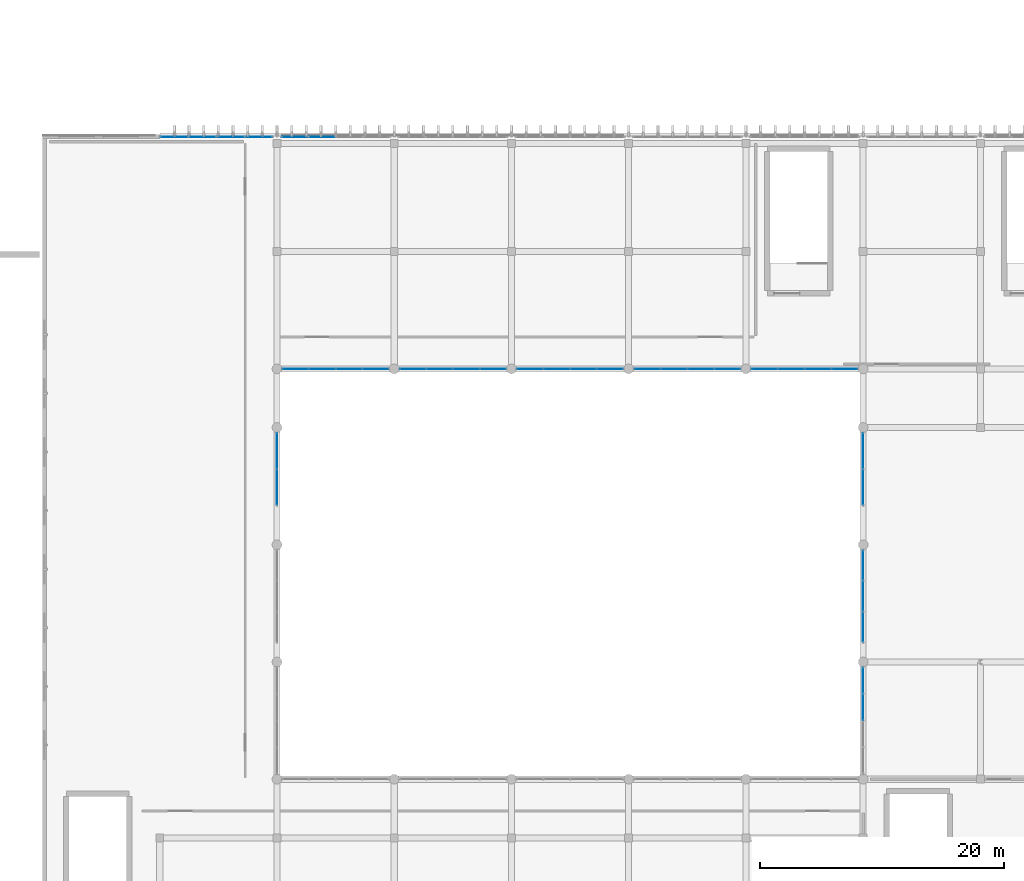
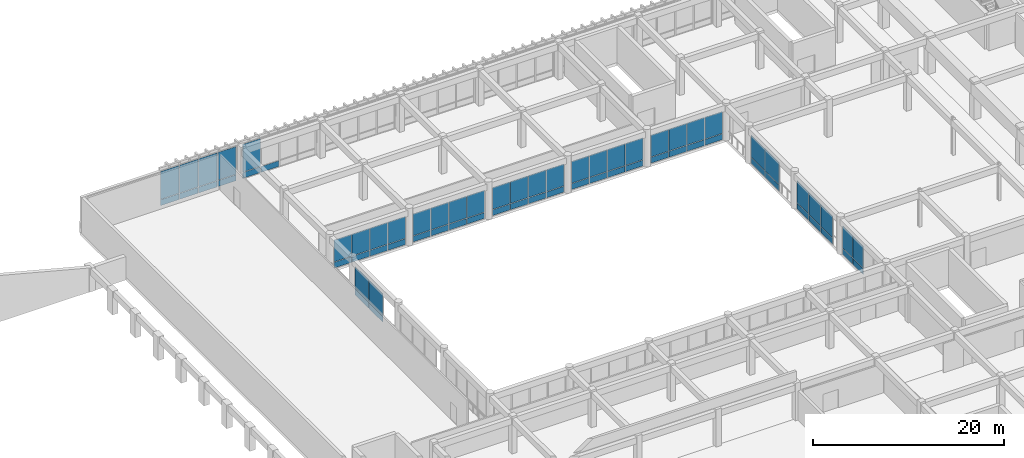
# One storey, part 65 of 101: 69 plates, 11 elements without a shape of their own.
"""IFC4 building model written with IfcOpenShell, lengths in metres."""

import ifcopenshell
import ifcopenshell.guid

model = None  # the IFC model being written
_history = None  # IfcOwnerHistory: only IFC2X3 demands one
_inside = {}  # id of a spatial element -> (the spatial element, [elements in it])
_under = {}  # id of a project, library or spatial element -> (it, [spatial elements below it])
_declared = {}  # id of a project -> (the project, [libraries it declares])
_typed = {}  # id of a type object -> (the type object, [elements of that type])
_made_of = {}  # id of a material, layer set ... -> (it, [elements and type objects made of it])


def new_model(schema):
    """Start an empty IFC model of exactly this schema.

    Asked for "IFC4X3", IfcOpenShell would pick the latest addendum, in which some entities
    have other attributes; the version numbers below select the first issue.
    IFC2X3 requires an IfcOwnerHistory on every rooted entity: one is made here for all.
    """
    global model, _history
    if schema == "IFC4X3":
        model = ifcopenshell.file(schema_version=(4, 3, 0, 0))
    else:
        model = ifcopenshell.file(schema=schema)
    _inside.clear()
    _under.clear()
    _declared.clear()
    _typed.clear()
    _made_of.clear()
    _history = None
    if model.schema == "IFC2X3":
        org = make("IfcOrganization", Name="unknown")
        user = make(
            "IfcPersonAndOrganization",
            ThePerson=make("IfcPerson", FamilyName="unknown"),
            TheOrganization=org,
        )
        app = make(
            "IfcApplication",
            ApplicationDeveloper=org,
            Version="unknown",
            ApplicationFullName="unknown",
            ApplicationIdentifier="unknown",
        )
        _history = make(
            "IfcOwnerHistory",
            OwningUser=user,
            OwningApplication=app,
            ChangeAction="ADDED",
            CreationDate=0,
        )
    return model


def make(cls, **values):
    """One entity of the class cls with the attributes given. An attribute that is None is left unset."""
    return model.create_entity(
        cls, **{name: value for name, value in values.items() if value is not None}
    )


def rooted(cls, **values):
    """An entity with a GlobalId (a new one), such as an element, a storey or a relation."""
    return make(cls, GlobalId=ifcopenshell.guid.new(), OwnerHistory=_history, **values)


def si_unit(unit_type, name, prefix=None):
    """IfcSIUnit, for example si_unit("LENGTHUNIT", "METRE", prefix="MILLI")."""
    return make("IfcSIUnit", UnitType=unit_type, Prefix=prefix, Name=name)


def assignment(units):
    """IfcUnitAssignment: the units of a project."""
    return None if units is None else make("IfcUnitAssignment", Units=units)


def point(xyz):
    """IfcCartesianPoint."""
    return None if xyz is None else make("IfcCartesianPoint", Coordinates=xyz)


def direction(xyz):
    """IfcDirection."""
    return None if xyz is None else make("IfcDirection", DirectionRatios=xyz)


def frame(location, z_axis=None, x_axis=None):
    """IfcAxis2Placement3D, a coordinate frame: its origin and axes. An axis left out is left unset."""
    return make(
        "IfcAxis2Placement3D",
        Location=point(location),
        Axis=direction(z_axis),
        RefDirection=direction(x_axis),
    )


def frame_2d(location, x_axis=None):
    """IfcAxis2Placement2D, a coordinate frame in the plane: its origin and x axis."""
    return make(
        "IfcAxis2Placement2D", Location=point(location), RefDirection=direction(x_axis)
    )


def origin():
    """The frame at (0, 0, 0) with its axes left unset."""
    return frame((0.0, 0.0, 0.0))


def origin_2d():
    """The frame at (0, 0) in the plane with its x axis left unset."""
    return frame_2d((0.0, 0.0))


def place(relative_to, where):
    """IfcLocalPlacement: puts the frame where relative to a parent placement (None: the world)."""
    return make(
        "IfcLocalPlacement", PlacementRelTo=relative_to, RelativePlacement=where
    )


def context(
    kind, dimensions, precision=None, world=None, true_north=None, identifier=None
):
    """IfcGeometricRepresentationContext, for example the 3D "Model" context."""
    return make(
        "IfcGeometricRepresentationContext",
        ContextIdentifier=identifier,
        ContextType=kind,
        CoordinateSpaceDimension=dimensions,
        Precision=precision,
        WorldCoordinateSystem=world,
        TrueNorth=true_north,
    )


def subcontext(parent, identifier, kind, view, scale=None):
    """IfcGeometricRepresentationSubContext, for example "Body" below "Model"."""
    return make(
        "IfcGeometricRepresentationSubContext",
        ContextIdentifier=identifier,
        ContextType=kind,
        ParentContext=parent,
        TargetScale=scale,
        TargetView=view,
    )


def project(units=None, contexts=None):
    """IfcProject with its units and contexts."""
    return rooted(
        "IfcProject",
        Name="project",
        RepresentationContexts=contexts,
        UnitsInContext=assignment(units),
    )


def spatial(cls, under=None, at=None, **own):
    """A site, building, storey or space (cls), placed at a placement, below another one or the project."""
    s = rooted(cls, ObjectPlacement=at, **own)
    if under is not None:
        _under.setdefault(under.id(), (under, []))[1].append(s)
    return s


def profile(cls, at=None, kind="AREA", **sizes):
    """A parametric profile (cls). Its sizes go by their IFC names, for example OverallWidth=200.0."""
    return make(cls, ProfileType=kind, Position=at, **sizes)


def rectangle(**sizes):
    """IfcRectangleProfileDef."""
    return profile("IfcRectangleProfileDef", **sizes)


def extrude(swept, where, along, depth):
    """IfcExtrudedAreaSolid: the profile swept, set in the frame where, extruded along a direction by depth."""
    return make(
        "IfcExtrudedAreaSolid",
        SweptArea=swept,
        Position=where,
        ExtrudedDirection=direction(along),
        Depth=depth,
    )


def shape(context_of_items, identifier, shape_type, items):
    """IfcShapeRepresentation: the items that make up one representation, for example the "Body"."""
    return make(
        "IfcShapeRepresentation",
        ContextOfItems=context_of_items,
        RepresentationIdentifier=identifier,
        RepresentationType=shape_type,
        Items=items,
    )


def material(Name=None, Category=None):
    """IfcMaterial."""
    return make("IfcMaterial", Name=Name, Category=Category)


def layer(
    of_material, thickness, ventilated=None, Name=None, Category=None, Priority=None
):
    """IfcMaterialLayer: one layer of a wall or slab, of a material (None: an air gap)."""
    return make(
        "IfcMaterialLayer",
        Material=of_material,
        LayerThickness=thickness,
        IsVentilated=ventilated,
        Name=Name,
        Category=Category,
        Priority=Priority,
    )


def layer_set(layers, Name=None):
    """IfcMaterialLayerSet."""
    return make("IfcMaterialLayerSet", MaterialLayers=layers, LayerSetName=Name)


def made_of(thing, what):
    """Note that an element or type object is made of a material, layer set ...; save() writes the relation."""
    if what is not None:
        _made_of.setdefault(what.id(), (what, []))[1].append(thing)
    return thing


def type_object(cls, material=None, **own):
    """A type object (cls), such as IfcWallType, which elements share."""
    return made_of(rooted(cls, **own), material)


def element(
    cls,
    number,
    at=None,
    inside=None,
    cuts=None,
    type_object=None,
    material=None,
    context=None,
    identifier="Body",
    shape_type=None,
    held_by="IfcProductDefinitionShape",
    body=None,
    shapes=None,
    **own,
):
    """One element of the class cls, such as IfcWall. Its Tag is "e" and its number.

    at: its placement. inside: the storey or other place that contains it. cuts: it is an
    opening in that element (IfcRelVoidsElement). A single representation is given by context,
    identifier, shape_type and body (its items); several are given by shapes. held_by: the class
    of the entity that holds the representations. save() writes the other relations.
    """
    e = rooted(cls, Tag="e%d" % number, ObjectPlacement=at, **own)
    if body is not None:
        shapes = [shape(context, identifier, shape_type, body)]
    if shapes is not None:
        e.Representation = make(held_by, Representations=shapes)
    if inside is not None:
        _inside.setdefault(inside.id(), (inside, []))[1].append(e)
    if cuts is not None:
        rooted(
            "IfcRelVoidsElement", RelatingBuildingElement=cuts, RelatedOpeningElement=e
        )
    if type_object is not None:
        _typed.setdefault(type_object.id(), (type_object, []))[1].append(e)
    return made_of(e, material)


def aggregate(whole, parts):
    """IfcRelAggregates: a whole, such as a stair, and the parts it consists of."""
    return rooted("IfcRelAggregates", RelatingObject=whole, RelatedObjects=parts)


def save(model, path):
    """Write the relations noted so far, then the file.

    IfcRelAggregates (storeys below a building ...), IfcRelContainedInSpatialStructure (elements
    in a storey), IfcRelDefinesByType, IfcRelAssociatesMaterial and IfcRelDeclares: one each for
    every whole, place, type object, material and project.
    """
    for whole, parts in _under.values():
        aggregate(whole, parts)
    for where, things in _inside.values():
        rooted(
            "IfcRelContainedInSpatialStructure",
            RelatedElements=things,
            RelatingStructure=where,
        )
    for kind, things in _typed.values():
        rooted("IfcRelDefinesByType", RelatedObjects=things, RelatingType=kind)
    for what, things in _made_of.values():
        rooted("IfcRelAssociatesMaterial", RelatedObjects=things, RelatingMaterial=what)
    for by, libraries in _declared.values():
        rooted("IfcRelDeclares", RelatingContext=by, RelatedDefinitions=libraries)
    model.write(path)


model = new_model("IFC4")

# Units and contexts
model_context = context("Model", 3, precision=1e-05, world=origin(), true_north=direction((0.0, 1.0)))
body_context = subcontext(model_context, "Body", "Model", "MODEL_VIEW")
ifc_project = project(units=[si_unit("LENGTHUNIT", "METRE"), si_unit("AREAUNIT", "SQUARE_METRE"), si_unit("VOLUMEUNIT", "CUBIC_METRE"), si_unit("PLANEANGLEUNIT", "RADIAN"), si_unit("MASSUNIT", "GRAM", prefix="KILO")], contexts=[model_context])

# Site, building, storey
site_placement = place(None, origin())
site = spatial("IfcSite", under=ifc_project, at=site_placement, CompositionType="ELEMENT")
building_placement = place(site_placement, origin())
building = spatial("IfcBuilding", under=site, at=building_placement, Name="Nakhvara Creek Congress Hotel", CompositionType="ELEMENT")
storey_placement = place(building_placement, frame((0.0, 0.0, 16.199951171875)))
storey = spatial("IfcBuildingStorey", under=building, at=storey_placement, Name="L03", CompositionType="ELEMENT", Elevation=16.199951171875)

# Curtain wall, plates
ifc_material_1 = material(Name="Bronze-anodised aluminium AW-6063-T6 and double-silver low-E glass", Category="aluminium")
ifc_layer = layer(ifc_material_1, 0.199951171875)
ifc_layer_set = layer_set([ifc_layer], Name="Bronze-anodised aluminium AW-6063-T6 and double-silver low-E glass")
curtain_wall_type = type_object("IfcCurtainWallType", Name="CW-POD-STICK", PredefinedType="NOTDEFINED", material=ifc_layer_set)
curtain_wall_1_placement = place(storey_placement, origin())
curtain_wall_1 = element("IfcCurtainWall", 1, at=curtain_wall_1_placement, inside=storey, type_object=curtain_wall_type, Name="Curtain Wall CW098", PredefinedType="NOTDEFINED")
ifc_material_2 = material(Name="Double-silver solar-control low-E insulated glass", Category="glass")
plate_type_1 = type_object("IfcPlateType", Name="PNL-GLZ-240X260", PredefinedType="CURTAIN_PANEL", material=ifc_material_2)
plate_1_placement = place(storey_placement, frame((68.373779296875, 95.800048828125, 0.065185546875), z_axis=(0.0, 0.0, 1.0), x_axis=(1.0, 0.0, 0.0)))
plate_1 = element("IfcPlate", 2, at=plate_1_placement, type_object=plate_type_1, Name="CW098 panel 1.1", PredefinedType="CURTAIN_PANEL", context=body_context, shape_type="SweptSolid", body=[
    extrude(rectangle(XDim=2.217529296875, YDim=0.030029296875, at=origin_2d()), origin(), (0.0, 0.0, 1.0), 0.75244140625),
])
plate_2_placement = place(storey_placement, frame((68.373779296875, 95.800048828125, 0.882568359375), z_axis=(0.0, 0.0, 1.0), x_axis=(1.0, 0.0, 0.0)))
plate_2 = element("IfcPlate", 3, at=plate_2_placement, type_object=plate_type_1, Name="CW098 panel 1.2", PredefinedType="CURTAIN_PANEL", context=body_context, shape_type="SweptSolid", body=[
    extrude(rectangle(XDim=2.217529296875, YDim=0.030029296875, at=origin_2d()), origin(), (0.0, 0.0, 1.0), 3.5625),
])
plate_3_placement = place(storey_placement, frame((70.672607421875, 95.800048828125, 0.065185546875), z_axis=(0.0, 0.0, 1.0), x_axis=(1.0, 0.0, 0.0)))
plate_3 = element("IfcPlate", 4, at=plate_3_placement, type_object=plate_type_1, Name="CW098 panel 2.1", PredefinedType="CURTAIN_PANEL", context=body_context, shape_type="SweptSolid", body=[
    extrude(rectangle(XDim=2.25, YDim=0.030029296875, at=origin_2d()), origin(), (0.0, 0.0, 1.0), 0.75244140625),
])
plate_4_placement = place(storey_placement, frame((70.672607421875, 95.800048828125, 0.882568359375), z_axis=(0.0, 0.0, 1.0), x_axis=(1.0, 0.0, 0.0)))
plate_4 = element("IfcPlate", 5, at=plate_4_placement, type_object=plate_type_1, Name="CW098 panel 2.2", PredefinedType="CURTAIN_PANEL", context=body_context, shape_type="SweptSolid", body=[
    extrude(rectangle(XDim=2.25, YDim=0.030029296875, at=origin_2d()), origin(), (0.0, 0.0, 1.0), 3.5625),
])
plate_5_placement = place(storey_placement, frame((72.987548828125, 95.800048828125, 0.065185546875), z_axis=(0.0, 0.0, 1.0), x_axis=(1.0, 0.0, 0.0)))
plate_5 = element("IfcPlate", 6, at=plate_5_placement, type_object=plate_type_1, Name="CW098 panel 3.1", PredefinedType="CURTAIN_PANEL", context=body_context, shape_type="SweptSolid", body=[
    extrude(rectangle(XDim=2.25, YDim=0.030029296875, at=origin_2d()), origin(), (0.0, 0.0, 1.0), 0.75244140625),
])
plate_6_placement = place(storey_placement, frame((72.987548828125, 95.800048828125, 0.882568359375), z_axis=(0.0, 0.0, 1.0), x_axis=(1.0, 0.0, 0.0)))
plate_6 = element("IfcPlate", 7, at=plate_6_placement, type_object=plate_type_1, Name="CW098 panel 3.2", PredefinedType="CURTAIN_PANEL", context=body_context, shape_type="SweptSolid", body=[
    extrude(rectangle(XDim=2.25, YDim=0.030029296875, at=origin_2d()), origin(), (0.0, 0.0, 1.0), 3.5625),
])
plate_7_placement = place(storey_placement, frame((75.2861328125, 95.800048828125, 0.065185546875), z_axis=(0.0, 0.0, 1.0), x_axis=(1.0, 0.0, 0.0)))
plate_7 = element("IfcPlate", 8, at=plate_7_placement, type_object=plate_type_1, Name="CW098 panel 4.1", PredefinedType="CURTAIN_PANEL", context=body_context, shape_type="SweptSolid", body=[
    extrude(rectangle(XDim=2.217529296875, YDim=0.030029296875, at=origin_2d()), origin(), (0.0, 0.0, 1.0), 0.75244140625),
])
plate_8_placement = place(storey_placement, frame((75.2861328125, 95.800048828125, 0.882568359375), z_axis=(0.0, 0.0, 1.0), x_axis=(1.0, 0.0, 0.0)))
plate_8 = element("IfcPlate", 9, at=plate_8_placement, type_object=plate_type_1, Name="CW098 panel 4.2", PredefinedType="CURTAIN_PANEL", context=body_context, shape_type="SweptSolid", body=[
    extrude(rectangle(XDim=2.217529296875, YDim=0.030029296875, at=origin_2d()), origin(), (0.0, 0.0, 1.0), 3.5625),
])
aggregate(curtain_wall_1, [plate_1, plate_2, plate_3, plate_4, plate_5, plate_6, plate_7, plate_8])

curtain_wall_2_placement = place(storey_placement, origin())
curtain_wall_2 = element("IfcCurtainWall", 10, at=curtain_wall_2_placement, inside=storey, type_object=curtain_wall_type, Name="Curtain Wall CW099", PredefinedType="NOTDEFINED")
plate_9_placement = place(storey_placement, frame((78.271240234375, 95.800048828125, 0.065185546875), z_axis=(0.0, 0.0, 1.0), x_axis=(1.0, 0.0, 0.0)))
plate_9 = element("IfcPlate", 11, at=plate_9_placement, type_object=plate_type_1, Name="CW099 panel 1.1", PredefinedType="CURTAIN_PANEL", context=body_context, shape_type="SweptSolid", body=[
    extrude(rectangle(XDim=2.132568359375, YDim=0.030029296875, at=origin_2d()), origin(), (0.0, 0.0, 1.0), 0.75244140625),
])
plate_10_placement = place(storey_placement, frame((78.271240234375, 95.800048828125, 0.882568359375), z_axis=(0.0, 0.0, 1.0), x_axis=(1.0, 0.0, 0.0)))
plate_10 = element("IfcPlate", 12, at=plate_10_placement, type_object=plate_type_1, Name="CW099 panel 1.2", PredefinedType="CURTAIN_PANEL", context=body_context, shape_type="SweptSolid", body=[
    extrude(rectangle(XDim=2.132568359375, YDim=0.030029296875, at=origin_2d()), origin(), (0.0, 0.0, 1.0), 3.5625),
])
plate_11_placement = place(storey_placement, frame((80.485107421875, 95.800048828125, 0.065185546875), z_axis=(0.0, 0.0, 1.0), x_axis=(1.0, 0.0, 0.0)))
plate_11 = element("IfcPlate", 13, at=plate_11_placement, type_object=plate_type_1, Name="CW099 panel 2.1", PredefinedType="CURTAIN_PANEL", context=body_context, shape_type="SweptSolid", body=[
    extrude(rectangle(XDim=2.1650390625, YDim=0.030029296875, at=origin_2d()), origin(), (0.0, 0.0, 1.0), 0.75244140625),
])
aggregate(curtain_wall_2, [plate_9, plate_10, plate_11])

curtain_wall_3_placement = place(storey_placement, origin())
curtain_wall_3 = element("IfcCurtainWall", 14, at=curtain_wall_3_placement, inside=storey, type_object=curtain_wall_type, Name="Curtain Wall CW050", PredefinedType="NOTDEFINED")
ifc_material_3 = material(Name="Back-insulated bronze spandrel glass panel", Category="glass")
plate_type_2 = type_object("IfcPlateType", Name="PNL-SPN-240X090", PredefinedType="CURTAIN_PANEL", material=ifc_material_3)
plate_12_placement = place(storey_placement, frame((84.87255859375, 76.800048828125, 0.065185546875), z_axis=(0.0, 0.0, 1.0), x_axis=(-1.0, 0.0, 0.0)))
plate_12 = element("IfcPlate", 15, at=plate_12_placement, type_object=plate_type_2, Name="CW050 panel 1.1", PredefinedType="CURTAIN_PANEL", context=body_context, shape_type="SweptSolid", body=[
    extrude(rectangle(XDim=2.094970703125, YDim=0.044921875, at=origin_2d()), origin(), (0.0, 0.0, 1.0), 0.75244140625),
])
plate_13_placement = place(storey_placement, frame((84.87255859375, 76.800048828125, 0.8828125), z_axis=(0.0, 0.0, 1.0), x_axis=(-1.0, 0.0, 0.0)))
plate_13 = element("IfcPlate", 16, at=plate_13_placement, type_object=plate_type_2, Name="CW050 panel 1.2", PredefinedType="CURTAIN_PANEL", context=body_context, shape_type="SweptSolid", body=[
    extrude(rectangle(XDim=2.094970703125, YDim=0.044921875, at=origin_2d()), origin(), (0.0, 0.0, 1.0), 2.784423828125),
])
plate_14_placement = place(storey_placement, frame((82.6962890625, 76.800048828125, 0.065185546875), z_axis=(0.0, 0.0, 1.0), x_axis=(-1.0, 0.0, 0.0)))
plate_14 = element("IfcPlate", 17, at=plate_14_placement, type_object=plate_type_2, Name="CW050 panel 2.1", PredefinedType="CURTAIN_PANEL", context=body_context, shape_type="SweptSolid", body=[
    extrude(rectangle(XDim=2.12744140625, YDim=0.044921875, at=origin_2d()), origin(), (0.0, 0.0, 1.0), 0.75244140625),
])
plate_15_placement = place(storey_placement, frame((82.6962890625, 76.800048828125, 0.8828125), z_axis=(0.0, 0.0, 1.0), x_axis=(-1.0, 0.0, 0.0)))
plate_15 = element("IfcPlate", 18, at=plate_15_placement, type_object=plate_type_2, Name="CW050 panel 2.2", PredefinedType="CURTAIN_PANEL", context=body_context, shape_type="SweptSolid", body=[
    extrude(rectangle(XDim=2.12744140625, YDim=0.044921875, at=origin_2d()), origin(), (0.0, 0.0, 1.0), 2.784423828125),
])
plate_16_placement = place(storey_placement, frame((80.503662109375, 76.800048828125, 0.065185546875), z_axis=(0.0, 0.0, 1.0), x_axis=(-1.0, 0.0, 0.0)))
plate_16 = element("IfcPlate", 19, at=plate_16_placement, type_object=plate_type_2, Name="CW050 panel 3.1", PredefinedType="CURTAIN_PANEL", context=body_context, shape_type="SweptSolid", body=[
    extrude(rectangle(XDim=2.12744140625, YDim=0.044921875, at=origin_2d()), origin(), (0.0, 0.0, 1.0), 0.75244140625),
])
plate_17_placement = place(storey_placement, frame((80.503662109375, 76.800048828125, 0.8828125), z_axis=(0.0, 0.0, 1.0), x_axis=(-1.0, 0.0, 0.0)))
plate_17 = element("IfcPlate", 20, at=plate_17_placement, type_object=plate_type_2, Name="CW050 panel 3.2", PredefinedType="CURTAIN_PANEL", context=body_context, shape_type="SweptSolid", body=[
    extrude(rectangle(XDim=2.12744140625, YDim=0.044921875, at=origin_2d()), origin(), (0.0, 0.0, 1.0), 2.784423828125),
])
plate_18_placement = place(storey_placement, frame((78.327392578125, 76.800048828125, 0.065185546875), z_axis=(0.0, 0.0, 1.0), x_axis=(-1.0, 0.0, 0.0)))
plate_18 = element("IfcPlate", 21, at=plate_18_placement, type_object=plate_type_2, Name="CW050 panel 4.1", PredefinedType="CURTAIN_PANEL", context=body_context, shape_type="SweptSolid", body=[
    extrude(rectangle(XDim=2.094970703125, YDim=0.044921875, at=origin_2d()), origin(), (0.0, 0.0, 1.0), 0.75244140625),
])
plate_19_placement = place(storey_placement, frame((78.327392578125, 76.800048828125, 0.8828125), z_axis=(0.0, 0.0, 1.0), x_axis=(-1.0, 0.0, 0.0)))
plate_19 = element("IfcPlate", 22, at=plate_19_placement, type_object=plate_type_2, Name="CW050 panel 4.2", PredefinedType="CURTAIN_PANEL", context=body_context, shape_type="SweptSolid", body=[
    extrude(rectangle(XDim=2.094970703125, YDim=0.044921875, at=origin_2d()), origin(), (0.0, 0.0, 1.0), 2.784423828125),
])
aggregate(curtain_wall_3, [plate_12, plate_13, plate_14, plate_15, plate_16, plate_17, plate_18, plate_19])

curtain_wall_4_placement = place(storey_placement, origin())
curtain_wall_4 = element("IfcCurtainWall", 23, at=curtain_wall_4_placement, inside=storey, type_object=curtain_wall_type, Name="Curtain Wall CW052", PredefinedType="NOTDEFINED")
plate_20_placement = place(storey_placement, frame((94.472412109375, 76.800048828125, 0.065185546875), z_axis=(0.0, 0.0, 1.0), x_axis=(-1.0, 0.0, 0.0)))
plate_20 = element("IfcPlate", 24, at=plate_20_placement, type_object=plate_type_2, Name="CW052 panel 1.1", PredefinedType="CURTAIN_PANEL", context=body_context, shape_type="SweptSolid", body=[
    extrude(rectangle(XDim=2.094970703125, YDim=0.044921875, at=origin_2d()), origin(), (0.0, 0.0, 1.0), 0.75244140625),
])
plate_21_placement = place(storey_placement, frame((94.472412109375, 76.800048828125, 0.8828125), z_axis=(0.0, 0.0, 1.0), x_axis=(-1.0, 0.0, 0.0)))
plate_21 = element("IfcPlate", 25, at=plate_21_placement, type_object=plate_type_2, Name="CW052 panel 1.2", PredefinedType="CURTAIN_PANEL", context=body_context, shape_type="SweptSolid", body=[
    extrude(rectangle(XDim=2.094970703125, YDim=0.044921875, at=origin_2d()), origin(), (0.0, 0.0, 1.0), 2.784423828125),
])
plate_22_placement = place(storey_placement, frame((92.296142578125, 76.800048828125, 0.065185546875), z_axis=(0.0, 0.0, 1.0), x_axis=(-1.0, 0.0, 0.0)))
plate_22 = element("IfcPlate", 26, at=plate_22_placement, type_object=plate_type_2, Name="CW052 panel 2.1", PredefinedType="CURTAIN_PANEL", context=body_context, shape_type="SweptSolid", body=[
    extrude(rectangle(XDim=2.12744140625, YDim=0.044921875, at=origin_2d()), origin(), (0.0, 0.0, 1.0), 0.75244140625),
])
plate_23_placement = place(storey_placement, frame((92.296142578125, 76.800048828125, 0.8828125), z_axis=(0.0, 0.0, 1.0), x_axis=(-1.0, 0.0, 0.0)))
plate_23 = element("IfcPlate", 27, at=plate_23_placement, type_object=plate_type_2, Name="CW052 panel 2.2", PredefinedType="CURTAIN_PANEL", context=body_context, shape_type="SweptSolid", body=[
    extrude(rectangle(XDim=2.12744140625, YDim=0.044921875, at=origin_2d()), origin(), (0.0, 0.0, 1.0), 2.784423828125),
])
plate_24_placement = place(storey_placement, frame((90.103759765625, 76.800048828125, 0.065185546875), z_axis=(0.0, 0.0, 1.0), x_axis=(-1.0, 0.0, 0.0)))
plate_24 = element("IfcPlate", 28, at=plate_24_placement, type_object=plate_type_2, Name="CW052 panel 3.1", PredefinedType="CURTAIN_PANEL", context=body_context, shape_type="SweptSolid", body=[
    extrude(rectangle(XDim=2.12744140625, YDim=0.044921875, at=origin_2d()), origin(), (0.0, 0.0, 1.0), 0.75244140625),
])
plate_25_placement = place(storey_placement, frame((90.103759765625, 76.800048828125, 0.8828125), z_axis=(0.0, 0.0, 1.0), x_axis=(-1.0, 0.0, 0.0)))
plate_25 = element("IfcPlate", 29, at=plate_25_placement, type_object=plate_type_2, Name="CW052 panel 3.2", PredefinedType="CURTAIN_PANEL", context=body_context, shape_type="SweptSolid", body=[
    extrude(rectangle(XDim=2.12744140625, YDim=0.044921875, at=origin_2d()), origin(), (0.0, 0.0, 1.0), 2.784423828125),
])
plate_26_placement = place(storey_placement, frame((87.927490234375, 76.800048828125, 0.065185546875), z_axis=(0.0, 0.0, 1.0), x_axis=(-1.0, 0.0, 0.0)))
plate_26 = element("IfcPlate", 30, at=plate_26_placement, type_object=plate_type_2, Name="CW052 panel 4.1", PredefinedType="CURTAIN_PANEL", context=body_context, shape_type="SweptSolid", body=[
    extrude(rectangle(XDim=2.094970703125, YDim=0.044921875, at=origin_2d()), origin(), (0.0, 0.0, 1.0), 0.75244140625),
])
plate_27_placement = place(storey_placement, frame((87.927490234375, 76.800048828125, 0.8828125), z_axis=(0.0, 0.0, 1.0), x_axis=(-1.0, 0.0, 0.0)))
plate_27 = element("IfcPlate", 31, at=plate_27_placement, type_object=plate_type_2, Name="CW052 panel 4.2", PredefinedType="CURTAIN_PANEL", context=body_context, shape_type="SweptSolid", body=[
    extrude(rectangle(XDim=2.094970703125, YDim=0.044921875, at=origin_2d()), origin(), (0.0, 0.0, 1.0), 2.784423828125),
])
aggregate(curtain_wall_4, [plate_20, plate_21, plate_22, plate_23, plate_24, plate_25, plate_26, plate_27])

curtain_wall_5_placement = place(storey_placement, origin())
curtain_wall_5 = element("IfcCurtainWall", 32, at=curtain_wall_5_placement, inside=storey, type_object=curtain_wall_type, Name="Curtain Wall CW054", PredefinedType="NOTDEFINED")
plate_28_placement = place(storey_placement, frame((104.072509765625, 76.800048828125, 0.065185546875), z_axis=(0.0, 0.0, 1.0), x_axis=(-1.0, 0.0, 0.0)))
plate_28 = element("IfcPlate", 33, at=plate_28_placement, type_object=plate_type_2, Name="CW054 panel 1.1", PredefinedType="CURTAIN_PANEL", context=body_context, shape_type="SweptSolid", body=[
    extrude(rectangle(XDim=2.094970703125, YDim=0.044921875, at=origin_2d()), origin(), (0.0, 0.0, 1.0), 0.75244140625),
])
plate_29_placement = place(storey_placement, frame((104.072509765625, 76.800048828125, 0.8828125), z_axis=(0.0, 0.0, 1.0), x_axis=(-1.0, 0.0, 0.0)))
plate_29 = element("IfcPlate", 34, at=plate_29_placement, type_object=plate_type_2, Name="CW054 panel 1.2", PredefinedType="CURTAIN_PANEL", context=body_context, shape_type="SweptSolid", body=[
    extrude(rectangle(XDim=2.094970703125, YDim=0.044921875, at=origin_2d()), origin(), (0.0, 0.0, 1.0), 2.784423828125),
])
plate_30_placement = place(storey_placement, frame((101.896240234375, 76.800048828125, 0.065185546875), z_axis=(0.0, 0.0, 1.0), x_axis=(-1.0, 0.0, 0.0)))
plate_30 = element("IfcPlate", 35, at=plate_30_placement, type_object=plate_type_2, Name="CW054 panel 2.1", PredefinedType="CURTAIN_PANEL", context=body_context, shape_type="SweptSolid", body=[
    extrude(rectangle(XDim=2.12744140625, YDim=0.044921875, at=origin_2d()), origin(), (0.0, 0.0, 1.0), 0.75244140625),
])
plate_31_placement = place(storey_placement, frame((101.896240234375, 76.800048828125, 0.8828125), z_axis=(0.0, 0.0, 1.0), x_axis=(-1.0, 0.0, 0.0)))
plate_31 = element("IfcPlate", 36, at=plate_31_placement, type_object=plate_type_2, Name="CW054 panel 2.2", PredefinedType="CURTAIN_PANEL", context=body_context, shape_type="SweptSolid", body=[
    extrude(rectangle(XDim=2.12744140625, YDim=0.044921875, at=origin_2d()), origin(), (0.0, 0.0, 1.0), 2.784423828125),
])
plate_32_placement = place(storey_placement, frame((99.703857421875, 76.800048828125, 0.065185546875), z_axis=(0.0, 0.0, 1.0), x_axis=(-1.0, 0.0, 0.0)))
plate_32 = element("IfcPlate", 37, at=plate_32_placement, type_object=plate_type_2, Name="CW054 panel 3.1", PredefinedType="CURTAIN_PANEL", context=body_context, shape_type="SweptSolid", body=[
    extrude(rectangle(XDim=2.12744140625, YDim=0.044921875, at=origin_2d()), origin(), (0.0, 0.0, 1.0), 0.75244140625),
])
plate_33_placement = place(storey_placement, frame((99.703857421875, 76.800048828125, 0.8828125), z_axis=(0.0, 0.0, 1.0), x_axis=(-1.0, 0.0, 0.0)))
plate_33 = element("IfcPlate", 38, at=plate_33_placement, type_object=plate_type_2, Name="CW054 panel 3.2", PredefinedType="CURTAIN_PANEL", context=body_context, shape_type="SweptSolid", body=[
    extrude(rectangle(XDim=2.12744140625, YDim=0.044921875, at=origin_2d()), origin(), (0.0, 0.0, 1.0), 2.784423828125),
])
plate_34_placement = place(storey_placement, frame((97.527587890625, 76.800048828125, 0.065185546875), z_axis=(0.0, 0.0, 1.0), x_axis=(-1.0, 0.0, 0.0)))
plate_34 = element("IfcPlate", 39, at=plate_34_placement, type_object=plate_type_2, Name="CW054 panel 4.1", PredefinedType="CURTAIN_PANEL", context=body_context, shape_type="SweptSolid", body=[
    extrude(rectangle(XDim=2.094970703125, YDim=0.044921875, at=origin_2d()), origin(), (0.0, 0.0, 1.0), 0.75244140625),
])
plate_35_placement = place(storey_placement, frame((97.527587890625, 76.800048828125, 0.8828125), z_axis=(0.0, 0.0, 1.0), x_axis=(-1.0, 0.0, 0.0)))
plate_35 = element("IfcPlate", 40, at=plate_35_placement, type_object=plate_type_2, Name="CW054 panel 4.2", PredefinedType="CURTAIN_PANEL", context=body_context, shape_type="SweptSolid", body=[
    extrude(rectangle(XDim=2.094970703125, YDim=0.044921875, at=origin_2d()), origin(), (0.0, 0.0, 1.0), 2.784423828125),
])
aggregate(curtain_wall_5, [plate_28, plate_29, plate_30, plate_31, plate_32, plate_33, plate_34, plate_35])

curtain_wall_6_placement = place(storey_placement, origin())
curtain_wall_6 = element("IfcCurtainWall", 41, at=curtain_wall_6_placement, inside=storey, type_object=curtain_wall_type, Name="Curtain Wall CW056", PredefinedType="NOTDEFINED")
plate_36_placement = place(storey_placement, frame((113.672607421875, 76.800048828125, 0.065185546875), z_axis=(0.0, 0.0, 1.0), x_axis=(-1.0, 0.0, 0.0)))
plate_36 = element("IfcPlate", 42, at=plate_36_placement, type_object=plate_type_2, Name="CW056 panel 1.1", PredefinedType="CURTAIN_PANEL", context=body_context, shape_type="SweptSolid", body=[
    extrude(rectangle(XDim=2.094970703125, YDim=0.044921875, at=origin_2d()), origin(), (0.0, 0.0, 1.0), 0.75244140625),
])
plate_37_placement = place(storey_placement, frame((113.672607421875, 76.800048828125, 0.8828125), z_axis=(0.0, 0.0, 1.0), x_axis=(-1.0, 0.0, 0.0)))
plate_37 = element("IfcPlate", 43, at=plate_37_placement, type_object=plate_type_2, Name="CW056 panel 1.2", PredefinedType="CURTAIN_PANEL", context=body_context, shape_type="SweptSolid", body=[
    extrude(rectangle(XDim=2.094970703125, YDim=0.044921875, at=origin_2d()), origin(), (0.0, 0.0, 1.0), 2.784423828125),
])
plate_38_placement = place(storey_placement, frame((111.496337890625, 76.800048828125, 0.065185546875), z_axis=(0.0, 0.0, 1.0), x_axis=(-1.0, 0.0, 0.0)))
plate_38 = element("IfcPlate", 44, at=plate_38_placement, type_object=plate_type_2, Name="CW056 panel 2.1", PredefinedType="CURTAIN_PANEL", context=body_context, shape_type="SweptSolid", body=[
    extrude(rectangle(XDim=2.12744140625, YDim=0.044921875, at=origin_2d()), origin(), (0.0, 0.0, 1.0), 0.75244140625),
])
plate_39_placement = place(storey_placement, frame((111.496337890625, 76.800048828125, 0.8828125), z_axis=(0.0, 0.0, 1.0), x_axis=(-1.0, 0.0, 0.0)))
plate_39 = element("IfcPlate", 45, at=plate_39_placement, type_object=plate_type_2, Name="CW056 panel 2.2", PredefinedType="CURTAIN_PANEL", context=body_context, shape_type="SweptSolid", body=[
    extrude(rectangle(XDim=2.12744140625, YDim=0.044921875, at=origin_2d()), origin(), (0.0, 0.0, 1.0), 2.784423828125),
])
plate_40_placement = place(storey_placement, frame((109.3037109375, 76.800048828125, 0.065185546875), z_axis=(0.0, 0.0, 1.0), x_axis=(-1.0, 0.0, 0.0)))
plate_40 = element("IfcPlate", 46, at=plate_40_placement, type_object=plate_type_2, Name="CW056 panel 3.1", PredefinedType="CURTAIN_PANEL", context=body_context, shape_type="SweptSolid", body=[
    extrude(rectangle(XDim=2.12744140625, YDim=0.044921875, at=origin_2d()), origin(), (0.0, 0.0, 1.0), 0.75244140625),
])
plate_41_placement = place(storey_placement, frame((109.3037109375, 76.800048828125, 0.8828125), z_axis=(0.0, 0.0, 1.0), x_axis=(-1.0, 0.0, 0.0)))
plate_41 = element("IfcPlate", 47, at=plate_41_placement, type_object=plate_type_2, Name="CW056 panel 3.2", PredefinedType="CURTAIN_PANEL", context=body_context, shape_type="SweptSolid", body=[
    extrude(rectangle(XDim=2.12744140625, YDim=0.044921875, at=origin_2d()), origin(), (0.0, 0.0, 1.0), 2.784423828125),
])
plate_42_placement = place(storey_placement, frame((107.12744140625, 76.800048828125, 0.065185546875), z_axis=(0.0, 0.0, 1.0), x_axis=(-1.0, 0.0, 0.0)))
plate_42 = element("IfcPlate", 48, at=plate_42_placement, type_object=plate_type_2, Name="CW056 panel 4.1", PredefinedType="CURTAIN_PANEL", context=body_context, shape_type="SweptSolid", body=[
    extrude(rectangle(XDim=2.094970703125, YDim=0.044921875, at=origin_2d()), origin(), (0.0, 0.0, 1.0), 0.75244140625),
])
plate_43_placement = place(storey_placement, frame((107.12744140625, 76.800048828125, 0.8828125), z_axis=(0.0, 0.0, 1.0), x_axis=(-1.0, 0.0, 0.0)))
plate_43 = element("IfcPlate", 49, at=plate_43_placement, type_object=plate_type_2, Name="CW056 panel 4.2", PredefinedType="CURTAIN_PANEL", context=body_context, shape_type="SweptSolid", body=[
    extrude(rectangle(XDim=2.094970703125, YDim=0.044921875, at=origin_2d()), origin(), (0.0, 0.0, 1.0), 2.784423828125),
])
aggregate(curtain_wall_6, [plate_36, plate_37, plate_38, plate_39, plate_40, plate_41, plate_42, plate_43])

curtain_wall_7_placement = place(storey_placement, origin())
curtain_wall_7 = element("IfcCurtainWall", 50, at=curtain_wall_7_placement, inside=storey, type_object=curtain_wall_type, Name="Curtain Wall CW058", PredefinedType="NOTDEFINED")
plate_44_placement = place(storey_placement, frame((123.2724609375, 76.800048828125, 0.065185546875), z_axis=(0.0, 0.0, 1.0), x_axis=(-1.0, 0.0, 0.0)))
plate_44 = element("IfcPlate", 51, at=plate_44_placement, type_object=plate_type_2, Name="CW058 panel 1.1", PredefinedType="CURTAIN_PANEL", context=body_context, shape_type="SweptSolid", body=[
    extrude(rectangle(XDim=2.094970703125, YDim=0.044921875, at=origin_2d()), origin(), (0.0, 0.0, 1.0), 0.75244140625),
])
plate_45_placement = place(storey_placement, frame((123.2724609375, 76.800048828125, 0.8828125), z_axis=(0.0, 0.0, 1.0), x_axis=(-1.0, 0.0, 0.0)))
plate_45 = element("IfcPlate", 52, at=plate_45_placement, type_object=plate_type_2, Name="CW058 panel 1.2", PredefinedType="CURTAIN_PANEL", context=body_context, shape_type="SweptSolid", body=[
    extrude(rectangle(XDim=2.094970703125, YDim=0.044921875, at=origin_2d()), origin(), (0.0, 0.0, 1.0), 2.784423828125),
])
plate_46_placement = place(storey_placement, frame((121.09619140625, 76.800048828125, 0.065185546875), z_axis=(0.0, 0.0, 1.0), x_axis=(-1.0, 0.0, 0.0)))
plate_46 = element("IfcPlate", 53, at=plate_46_placement, type_object=plate_type_2, Name="CW058 panel 2.1", PredefinedType="CURTAIN_PANEL", context=body_context, shape_type="SweptSolid", body=[
    extrude(rectangle(XDim=2.12744140625, YDim=0.044921875, at=origin_2d()), origin(), (0.0, 0.0, 1.0), 0.75244140625),
])
plate_47_placement = place(storey_placement, frame((121.09619140625, 76.800048828125, 0.8828125), z_axis=(0.0, 0.0, 1.0), x_axis=(-1.0, 0.0, 0.0)))
plate_47 = element("IfcPlate", 54, at=plate_47_placement, type_object=plate_type_2, Name="CW058 panel 2.2", PredefinedType="CURTAIN_PANEL", context=body_context, shape_type="SweptSolid", body=[
    extrude(rectangle(XDim=2.12744140625, YDim=0.044921875, at=origin_2d()), origin(), (0.0, 0.0, 1.0), 2.784423828125),
])
plate_48_placement = place(storey_placement, frame((118.90380859375, 76.800048828125, 0.065185546875), z_axis=(0.0, 0.0, 1.0), x_axis=(-1.0, 0.0, 0.0)))
plate_48 = element("IfcPlate", 55, at=plate_48_placement, type_object=plate_type_2, Name="CW058 panel 3.1", PredefinedType="CURTAIN_PANEL", context=body_context, shape_type="SweptSolid", body=[
    extrude(rectangle(XDim=2.12744140625, YDim=0.044921875, at=origin_2d()), origin(), (0.0, 0.0, 1.0), 0.75244140625),
])
plate_49_placement = place(storey_placement, frame((118.90380859375, 76.800048828125, 0.8828125), z_axis=(0.0, 0.0, 1.0), x_axis=(-1.0, 0.0, 0.0)))
plate_49 = element("IfcPlate", 56, at=plate_49_placement, type_object=plate_type_2, Name="CW058 panel 3.2", PredefinedType="CURTAIN_PANEL", context=body_context, shape_type="SweptSolid", body=[
    extrude(rectangle(XDim=2.12744140625, YDim=0.044921875, at=origin_2d()), origin(), (0.0, 0.0, 1.0), 2.784423828125),
])
plate_50_placement = place(storey_placement, frame((116.7275390625, 76.800048828125, 0.065185546875), z_axis=(0.0, 0.0, 1.0), x_axis=(-1.0, 0.0, 0.0)))
plate_50 = element("IfcPlate", 57, at=plate_50_placement, type_object=plate_type_2, Name="CW058 panel 4.1", PredefinedType="CURTAIN_PANEL", context=body_context, shape_type="SweptSolid", body=[
    extrude(rectangle(XDim=2.094970703125, YDim=0.044921875, at=origin_2d()), origin(), (0.0, 0.0, 1.0), 0.75244140625),
])
plate_51_placement = place(storey_placement, frame((116.7275390625, 76.800048828125, 0.8828125), z_axis=(0.0, 0.0, 1.0), x_axis=(-1.0, 0.0, 0.0)))
plate_51 = element("IfcPlate", 58, at=plate_51_placement, type_object=plate_type_2, Name="CW058 panel 4.2", PredefinedType="CURTAIN_PANEL", context=body_context, shape_type="SweptSolid", body=[
    extrude(rectangle(XDim=2.094970703125, YDim=0.044921875, at=origin_2d()), origin(), (0.0, 0.0, 1.0), 2.784423828125),
])
aggregate(curtain_wall_7, [plate_44, plate_45, plate_46, plate_47, plate_48, plate_49, plate_50, plate_51])

curtain_wall_8_placement = place(storey_placement, origin())
curtain_wall_8 = element("IfcCurtainWall", 59, at=curtain_wall_8_placement, inside=storey, type_object=curtain_wall_type, Name="Curtain Wall CW060", PredefinedType="NOTDEFINED")
plate_52_placement = place(storey_placement, frame((124.800048828125, 49.09619140625, 0.065185546875), z_axis=(0.0, 0.0, 1.0), x_axis=(0.0, 1.0, 0.0)))
plate_52 = element("IfcPlate", 60, at=plate_52_placement, type_object=plate_type_2, Name="CW060 panel 3.1", PredefinedType="CURTAIN_PANEL", context=body_context, shape_type="SweptSolid", body=[
    extrude(rectangle(XDim=2.12744140625, YDim=0.044921875, at=origin_2d()), origin(), (0.0, 0.0, 1.0), 0.75244140625),
])
plate_53_placement = place(storey_placement, frame((124.800048828125, 49.09619140625, 0.8828125), z_axis=(0.0, 0.0, 1.0), x_axis=(0.0, 1.0, 0.0)))
plate_53 = element("IfcPlate", 61, at=plate_53_placement, type_object=plate_type_2, Name="CW060 panel 3.2", PredefinedType="CURTAIN_PANEL", context=body_context, shape_type="SweptSolid", body=[
    extrude(rectangle(XDim=2.12744140625, YDim=0.044921875, at=origin_2d()), origin(), (0.0, 0.0, 1.0), 2.784423828125),
])
plate_54_placement = place(storey_placement, frame((124.800048828125, 51.2724609375, 0.065185546875), z_axis=(0.0, 0.0, 1.0), x_axis=(0.0, 1.0, 0.0)))
plate_54 = element("IfcPlate", 62, at=plate_54_placement, type_object=plate_type_2, Name="CW060 panel 4.1", PredefinedType="CURTAIN_PANEL", context=body_context, shape_type="SweptSolid", body=[
    extrude(rectangle(XDim=2.094970703125, YDim=0.044921875, at=origin_2d()), origin(), (0.0, 0.0, 1.0), 0.75244140625),
])
plate_55_placement = place(storey_placement, frame((124.800048828125, 51.2724609375, 0.8828125), z_axis=(0.0, 0.0, 1.0), x_axis=(0.0, 1.0, 0.0)))
plate_55 = element("IfcPlate", 63, at=plate_55_placement, type_object=plate_type_2, Name="CW060 panel 4.2", PredefinedType="CURTAIN_PANEL", context=body_context, shape_type="SweptSolid", body=[
    extrude(rectangle(XDim=2.094970703125, YDim=0.044921875, at=origin_2d()), origin(), (0.0, 0.0, 1.0), 2.784423828125),
])
aggregate(curtain_wall_8, [plate_52, plate_53, plate_54, plate_55])

curtain_wall_9_placement = place(storey_placement, origin())
curtain_wall_9 = element("IfcCurtainWall", 64, at=curtain_wall_9_placement, inside=storey, type_object=curtain_wall_type, Name="Curtain Wall CW062", PredefinedType="NOTDEFINED")
plate_56_placement = place(storey_placement, frame((124.800048828125, 55.680419921875, 0.065185546875), z_axis=(0.0, 0.0, 1.0), x_axis=(0.0, 1.0, 0.0)))
plate_56 = element("IfcPlate", 65, at=plate_56_placement, type_object=plate_type_2, Name="CW062 panel 1.1", PredefinedType="CURTAIN_PANEL", context=body_context, shape_type="SweptSolid", body=[
    extrude(rectangle(XDim=2.430908203125, YDim=0.044921875, at=origin_2d()), origin(), (0.0, 0.0, 1.0), 0.75244140625),
])
plate_57_placement = place(storey_placement, frame((124.800048828125, 55.680419921875, 0.8828125), z_axis=(0.0, 0.0, 1.0), x_axis=(0.0, 1.0, 0.0)))
plate_57 = element("IfcPlate", 66, at=plate_57_placement, type_object=plate_type_2, Name="CW062 panel 1.2", PredefinedType="CURTAIN_PANEL", context=body_context, shape_type="SweptSolid", body=[
    extrude(rectangle(XDim=2.430908203125, YDim=0.044921875, at=origin_2d()), origin(), (0.0, 0.0, 1.0), 2.784423828125),
])
plate_58_placement = place(storey_placement, frame((124.800048828125, 58.1923828125, 0.065185546875), z_axis=(0.0, 0.0, 1.0), x_axis=(0.0, 1.0, 0.0)))
plate_58 = element("IfcPlate", 67, at=plate_58_placement, type_object=plate_type_2, Name="CW062 panel 2.1", PredefinedType="CURTAIN_PANEL", context=body_context, shape_type="SweptSolid", body=[
    extrude(rectangle(XDim=2.46337890625, YDim=0.044921875, at=origin_2d()), origin(), (0.0, 0.0, 1.0), 0.75244140625),
])
plate_59_placement = place(storey_placement, frame((124.800048828125, 58.1923828125, 0.8828125), z_axis=(0.0, 0.0, 1.0), x_axis=(0.0, 1.0, 0.0)))
plate_59 = element("IfcPlate", 68, at=plate_59_placement, type_object=plate_type_2, Name="CW062 panel 2.2", PredefinedType="CURTAIN_PANEL", context=body_context, shape_type="SweptSolid", body=[
    extrude(rectangle(XDim=2.46337890625, YDim=0.044921875, at=origin_2d()), origin(), (0.0, 0.0, 1.0), 2.784423828125),
])
plate_60_placement = place(storey_placement, frame((124.800048828125, 60.70458984375, 0.065185546875), z_axis=(0.0, 0.0, 1.0), x_axis=(0.0, 1.0, 0.0)))
plate_60 = element("IfcPlate", 69, at=plate_60_placement, type_object=plate_type_2, Name="CW062 panel 3.1", PredefinedType="CURTAIN_PANEL", context=body_context, shape_type="SweptSolid", body=[
    extrude(rectangle(XDim=2.430908203125, YDim=0.044921875, at=origin_2d()), origin(), (0.0, 0.0, 1.0), 0.75244140625),
])
plate_61_placement = place(storey_placement, frame((124.800048828125, 60.70458984375, 0.8828125), z_axis=(0.0, 0.0, 1.0), x_axis=(0.0, 1.0, 0.0)))
plate_61 = element("IfcPlate", 70, at=plate_61_placement, type_object=plate_type_2, Name="CW062 panel 3.2", PredefinedType="CURTAIN_PANEL", context=body_context, shape_type="SweptSolid", body=[
    extrude(rectangle(XDim=2.430908203125, YDim=0.044921875, at=origin_2d()), origin(), (0.0, 0.0, 1.0), 2.784423828125),
])
aggregate(curtain_wall_9, [plate_56, plate_57, plate_58, plate_59, plate_60, plate_61])

curtain_wall_10_placement = place(storey_placement, origin())
curtain_wall_10 = element("IfcCurtainWall", 71, at=curtain_wall_10_placement, inside=storey, type_object=curtain_wall_type, Name="Curtain Wall CW063", PredefinedType="NOTDEFINED")
plate_62_placement = place(storey_placement, frame((76.800048828125, 70.072509765625, 0.065185546875), z_axis=(0.0, 0.0, 1.0), x_axis=(0.0, -1.0, 0.0)))
plate_62 = element("IfcPlate", 72, at=plate_62_placement, type_object=plate_type_2, Name="CW063 panel 1.1", PredefinedType="CURTAIN_PANEL", context=body_context, shape_type="SweptSolid", body=[
    extrude(rectangle(XDim=2.89501953125, YDim=0.044921875, at=origin_2d()), origin(), (0.0, 0.0, 1.0), 0.75244140625),
])
plate_63_placement = place(storey_placement, frame((76.800048828125, 70.072509765625, 0.8828125), z_axis=(0.0, 0.0, 1.0), x_axis=(0.0, -1.0, 0.0)))
plate_63 = element("IfcPlate", 73, at=plate_63_placement, type_object=plate_type_2, Name="CW063 panel 1.2", PredefinedType="CURTAIN_PANEL", context=body_context, shape_type="SweptSolid", body=[
    extrude(rectangle(XDim=2.89501953125, YDim=0.044921875, at=origin_2d()), origin(), (0.0, 0.0, 1.0), 2.784423828125),
])
plate_64_placement = place(storey_placement, frame((76.800048828125, 67.112548828125, 0.065185546875), z_axis=(0.0, 0.0, 1.0), x_axis=(0.0, -1.0, 0.0)))
plate_64 = element("IfcPlate", 74, at=plate_64_placement, type_object=plate_type_2, Name="CW063 panel 2.1", PredefinedType="CURTAIN_PANEL", context=body_context, shape_type="SweptSolid", body=[
    extrude(rectangle(XDim=2.89501953125, YDim=0.044921875, at=origin_2d()), origin(), (0.0, 0.0, 1.0), 0.75244140625),
])
plate_65_placement = place(storey_placement, frame((76.800048828125, 67.112548828125, 0.8828125), z_axis=(0.0, 0.0, 1.0), x_axis=(0.0, -1.0, 0.0)))
plate_65 = element("IfcPlate", 75, at=plate_65_placement, type_object=plate_type_2, Name="CW063 panel 2.2", PredefinedType="CURTAIN_PANEL", context=body_context, shape_type="SweptSolid", body=[
    extrude(rectangle(XDim=2.89501953125, YDim=0.044921875, at=origin_2d()), origin(), (0.0, 0.0, 1.0), 2.784423828125),
])
aggregate(curtain_wall_10, [plate_62, plate_63, plate_64, plate_65])

curtain_wall_11_placement = place(storey_placement, origin())
curtain_wall_11 = element("IfcCurtainWall", 76, at=curtain_wall_11_placement, inside=storey, type_object=curtain_wall_type, Name="Curtain Wall CW064", PredefinedType="NOTDEFINED")
plate_66_placement = place(storey_placement, frame((124.800048828125, 67.112548828125, 0.065185546875), z_axis=(0.0, 0.0, 1.0), x_axis=(0.0, 1.0, 0.0)))
plate_66 = element("IfcPlate", 77, at=plate_66_placement, type_object=plate_type_2, Name="CW064 panel 1.1", PredefinedType="CURTAIN_PANEL", context=body_context, shape_type="SweptSolid", body=[
    extrude(rectangle(XDim=2.89501953125, YDim=0.044921875, at=origin_2d()), origin(), (0.0, 0.0, 1.0), 0.75244140625),
])
plate_67_placement = place(storey_placement, frame((124.800048828125, 67.112548828125, 0.8828125), z_axis=(0.0, 0.0, 1.0), x_axis=(0.0, 1.0, 0.0)))
plate_67 = element("IfcPlate", 78, at=plate_67_placement, type_object=plate_type_2, Name="CW064 panel 1.2", PredefinedType="CURTAIN_PANEL", context=body_context, shape_type="SweptSolid", body=[
    extrude(rectangle(XDim=2.89501953125, YDim=0.044921875, at=origin_2d()), origin(), (0.0, 0.0, 1.0), 2.784423828125),
])
plate_68_placement = place(storey_placement, frame((124.800048828125, 70.072509765625, 0.065185546875), z_axis=(0.0, 0.0, 1.0), x_axis=(0.0, 1.0, 0.0)))
plate_68 = element("IfcPlate", 79, at=plate_68_placement, type_object=plate_type_2, Name="CW064 panel 2.1", PredefinedType="CURTAIN_PANEL", context=body_context, shape_type="SweptSolid", body=[
    extrude(rectangle(XDim=2.89501953125, YDim=0.044921875, at=origin_2d()), origin(), (0.0, 0.0, 1.0), 0.75244140625),
])
plate_69_placement = place(storey_placement, frame((124.800048828125, 70.072509765625, 0.8828125), z_axis=(0.0, 0.0, 1.0), x_axis=(0.0, 1.0, 0.0)))
plate_69 = element("IfcPlate", 80, at=plate_69_placement, type_object=plate_type_2, Name="CW064 panel 2.2", PredefinedType="CURTAIN_PANEL", context=body_context, shape_type="SweptSolid", body=[
    extrude(rectangle(XDim=2.89501953125, YDim=0.044921875, at=origin_2d()), origin(), (0.0, 0.0, 1.0), 2.784423828125),
])
aggregate(curtain_wall_11, [plate_66, plate_67, plate_68, plate_69])

save(model, "model.ifc")
